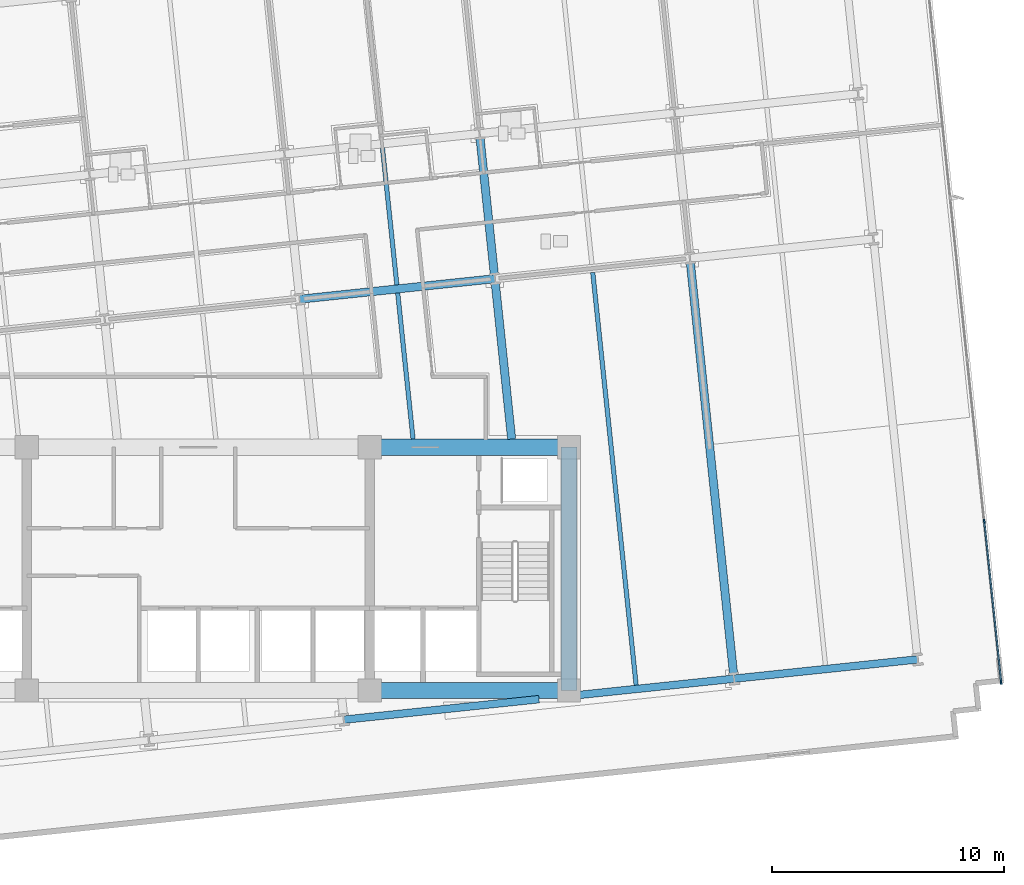
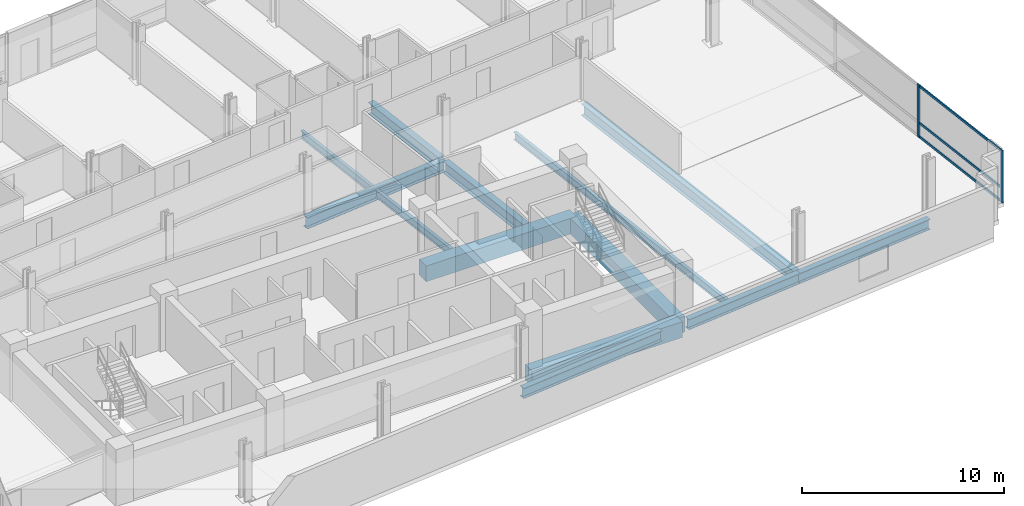
# One storey, part 4 of 17: 13 beams, 5 members, 1 element without a shape of its own.
"""IFC4 building model written with IfcOpenShell, lengths in metres."""

from ifc_helpers import new_model, si_unit, direction, frame, origin, origin_2d, place, context, subcontext, project, spatial, rectangle, i_section, extrude, material, material_profile, profile_set, type_object, element, aggregate, save


model = new_model("IFC4")

# Units and contexts
model_context = context("Model", 3, precision=1e-05, world=origin(), true_north=direction((0.0, 1.0)))
body_context = subcontext(model_context, "Body", "Model", "MODEL_VIEW")
ifc_project = project(units=[si_unit("LENGTHUNIT", "METRE"), si_unit("AREAUNIT", "SQUARE_METRE"), si_unit("VOLUMEUNIT", "CUBIC_METRE"), si_unit("PLANEANGLEUNIT", "RADIAN"), si_unit("MASSUNIT", "GRAM", prefix="KILO")], contexts=[model_context])

# Site, building, storey
site_placement = place(None, origin())
site = spatial("IfcSite", under=ifc_project, at=site_placement, CompositionType="ELEMENT")
building_placement = place(site_placement, origin())
building = spatial("IfcBuilding", under=site, at=building_placement, Name="Solmavex Isthmus Hotel", CompositionType="ELEMENT")
storey_placement = place(building_placement, frame((0.0, 0.0, 116.699951171875)))
storey = spatial("IfcBuildingStorey", under=building, at=storey_placement, Name="L31", CompositionType="ELEMENT", Elevation=116.699951171875)

# Beams
ifc_material_1 = material(Name="Steel ASTM A992 Grade 50", Category="steel")
ifc_material_profile_1 = material_profile(ifc_material_1, i_section(OverallWidth=0.354736328125, OverallDepth=0.695556640625, WebThickness=0.015380859375, FlangeThickness=0.02490234375, FilletRadius=0.017822265625, at=origin_2d()), Name="W27X146")
ifc_profile_set_1 = profile_set([ifc_material_profile_1], Name="Steel ASTM A992 Grade 50")
beam_type_1 = type_object("IfcBeamType", Name="BM-BG-W27X146", PredefinedType="BEAM", material=ifc_profile_set_1)
beam_1_placement = place(storey_placement, frame((4.38037109375, 3.888427734375, -0.607666015625), z_axis=(0.994521085209, 0.104536171134, 0.0), x_axis=(-0.104536171134, 0.994521085209, 0.0)))
element("IfcBeam", 1, at=beam_1_placement, inside=storey, type_object=beam_type_1, Name="Floor Girder L31-UG10", PredefinedType="BEAM", context=body_context, shape_type="SweptSolid", body=[
    extrude(i_section(OverallWidth=0.354736328125, OverallDepth=0.695556640625, WebThickness=0.015380859375, FlangeThickness=0.02490234375, FilletRadius=0.017822265625, at=origin_2d()), origin(), (0.0, 0.0, 1.0), 8.466064453125),
])
beam_2_placement = place(storey_placement, frame((13.52783203125, -2.14990234375, -0.607666015625), z_axis=(-0.104544283528, 0.994520232465, 0.0), x_axis=(-0.994520232465, -0.104544283528, 0.0)))
element("IfcBeam", 2, at=beam_2_placement, inside=storey, type_object=beam_type_1, Name="Floor Beam L31-VG40", PredefinedType="BEAM", context=body_context, shape_type="SweptSolid", body=[
    extrude(i_section(OverallWidth=0.354736328125, OverallDepth=0.695556640625, WebThickness=0.015380859375, FlangeThickness=0.02490234375, FilletRadius=0.017822265625, at=origin_2d()), origin(), (0.0, 0.0, 1.0), 6.783935546875),
])
beam_3_placement = place(storey_placement, frame((12.781494140625, 4.949951171875, -0.607666015625), z_axis=(-0.104505160346, 0.994524344328, 0.0), x_axis=(-0.994524344328, -0.104505160346, 0.0)))
element("IfcBeam", 3, at=beam_3_placement, inside=storey, type_object=beam_type_1, Name="Floor Beam L31-VG41", PredefinedType="BEAM", context=body_context, shape_type="SweptSolid", body=[
    extrude(i_section(OverallWidth=0.354736328125, OverallDepth=0.695556640625, WebThickness=0.015380859375, FlangeThickness=0.02490234375, FilletRadius=0.017822265625, at=origin_2d()), origin(), (0.0, 0.0, 1.0), 5.943115234375),
])
beam_4_placement = place(storey_placement, frame((23.1103515625, -12.329345703125, -0.607666015625), z_axis=(-0.104530088192, 0.99452172458, 0.0), x_axis=(-0.99452172458, -0.104530088192, 0.0)))
element("IfcBeam", 4, at=beam_4_placement, inside=storey, type_object=beam_type_1, Name="Floor Beam L31-VG43", PredefinedType="BEAM", context=body_context, shape_type="SweptSolid", body=[
    extrude(i_section(OverallWidth=0.354736328125, OverallDepth=0.695556640625, WebThickness=0.015380859375, FlangeThickness=0.02490234375, FilletRadius=0.017822265625, at=origin_2d()), origin(), (0.0, 0.0, 1.0), 17.909423828125),
])
ifc_material_profile_2 = material_profile(ifc_material_1, i_section(OverallWidth=0.1904296875, OverallDepth=0.456787109375, WebThickness=0.009033203125, FlangeThickness=0.014404296875, FilletRadius=0.0126953125, at=origin_2d()), Name="W18X50")
ifc_profile_set_2 = profile_set([ifc_material_profile_2], Name="Steel ASTM A992 Grade 50")
beam_type_2 = type_object("IfcBeamType", Name="BM-BJ-W18X50", PredefinedType="JOIST", material=ifc_profile_set_2)
beam_5_placement = place(storey_placement, frame((9.271484375, -2.14990234375, -0.48828125), z_axis=(-0.104524400071, 0.994522322419, 0.0), x_axis=(-0.994522322419, -0.104524400071, 0.0)))
element("IfcBeam", 5, at=beam_5_placement, inside=storey, type_object=beam_type_2, Name="Secondary Floor Joist L31-J13", PredefinedType="JOIST", context=body_context, shape_type="SweptSolid", body=[
    extrude(i_section(OverallWidth=0.1904296875, OverallDepth=0.456787109375, WebThickness=0.009033203125, FlangeThickness=0.014404296875, FilletRadius=0.0126953125, at=origin_2d()), origin(), (0.0, 0.0, 1.0), 6.339111328125),
])
beam_6_placement = place(storey_placement, frame((8.57177734375, 4.50732421875, -0.48828125), z_axis=(-0.104545790518, 0.994520074048, 0.0), x_axis=(-0.994520074048, -0.104545790518, 0.0)))
element("IfcBeam", 6, at=beam_6_placement, inside=storey, type_object=beam_type_2, Name="Secondary Floor Joist L31-J14", PredefinedType="JOIST", context=body_context, shape_type="SweptSolid", body=[
    extrude(i_section(OverallWidth=0.1904296875, OverallDepth=0.456787109375, WebThickness=0.009033203125, FlangeThickness=0.014404296875, FilletRadius=0.0126953125, at=origin_2d()), origin(), (0.0, 0.0, 1.0), 5.943115234375),
])
beam_7_placement = place(storey_placement, frame((18.900390625, -12.771728515625, -0.48828125), z_axis=(-0.104516605126, 0.994523141638, 0.0), x_axis=(-0.994523141638, -0.104516605126, 0.0)))
element("IfcBeam", 7, at=beam_7_placement, inside=storey, type_object=beam_type_2, Name="Secondary Floor Joist L31-J16", PredefinedType="JOIST", context=body_context, shape_type="SweptSolid", body=[
    extrude(i_section(OverallWidth=0.1904296875, OverallDepth=0.456787109375, WebThickness=0.009033203125, FlangeThickness=0.014404296875, FilletRadius=0.0126953125, at=origin_2d()), origin(), (0.0, 0.0, 1.0), 17.909423828125),
])
ifc_material_2 = material(Name="Concrete C60/75", Category="concrete")
ifc_material_profile_3 = material_profile(ifc_material_2, rectangle(XDim=0.699951171875, YDim=0.949951171875, at=origin_2d()), Name="RC700X950")
ifc_profile_set_3 = profile_set([ifc_material_profile_3], Name="Concrete C60/75")
beam_type_3 = type_object("IfcBeamType", Name="BM-CB-700X950", PredefinedType="BEAM", material=ifc_profile_set_3)
for number, where, z_axis, x_axis, name in (
    (8, (7.39990234375, -13.0, -0.73486328125), (1.0, 0.0, 0.0), (0.0, 1.0, 0.0), "Core Coupling Beam L31-CB3"),
    (9, (7.39990234375, -2.5, -0.73486328125), (1.0, 0.0, 0.0), (0.0, 1.0, 0.0), "Core Coupling Beam L31-CB6"),
):
    element("IfcBeam", number, at=place(storey_placement, frame(where, z_axis=z_axis, x_axis=x_axis)), inside=storey, type_object=beam_type_3, Name=name, PredefinedType="BEAM", context=body_context, shape_type="SweptSolid", body=[
        extrude(rectangle(XDim=0.699951171875, YDim=0.949951171875, at=origin_2d()), origin(), (0.0, 0.0, 1.0), 8.60009765625),
    ])
beam_8_placement = place(storey_placement, frame((16.0, -13.0, -0.73486328125), z_axis=(0.0, 1.0, 0.0), x_axis=(-1.0, 0.0, 0.0)))
element("IfcBeam", 10, at=beam_8_placement, inside=storey, type_object=beam_type_3, Name="Core Coupling Beam L31-CB8", PredefinedType="BEAM", context=body_context, shape_type="SweptSolid", body=[
    extrude(rectangle(XDim=0.699951171875, YDim=0.949951171875, at=origin_2d()), origin(), (0.0, 0.0, 1.0), 10.5),
])
ifc_material_profile_4 = material_profile(ifc_material_1, i_section(OverallWidth=0.326416015625, OverallDepth=0.621826171875, WebThickness=0.015380859375, FlangeThickness=0.0244140625, FilletRadius=0.01513671875, at=origin_2d()), Name="W24X131")
ifc_profile_set_4 = profile_set([ifc_material_profile_4], Name="Steel ASTM A992 Grade 50")
beam_type_4 = type_object("IfcBeamType", Name="BM-SP-W24X131", PredefinedType="SPANDREL", material=ifc_profile_set_4)
beam_9_placement = place(storey_placement, frame((6.2880859375, -14.261474609375, -0.57080078125), z_axis=(0.994524082861, 0.104507648572, 0.0), x_axis=(-0.104507648572, 0.994524082861, 0.0)))
element("IfcBeam", 11, at=beam_9_placement, inside=storey, type_object=beam_type_4, Name="Floor Girder L31-UG04", PredefinedType="SPANDREL", context=body_context, shape_type="SweptSolid", body=[
    extrude(i_section(OverallWidth=0.326416015625, OverallDepth=0.621826171875, WebThickness=0.015380859375, FlangeThickness=0.0244140625, FilletRadius=0.01513671875, at=origin_2d()), origin(), (0.0, 0.0, 1.0), 8.466064453125),
])
beam_10_placement = place(storey_placement, frame((16.35009765625, -13.2041015625, -0.57080078125), z_axis=(0.994520754079, 0.10453932134, 0.0), x_axis=(-0.10453932134, 0.994520754079, 0.0)))
element("IfcBeam", 12, at=beam_10_placement, inside=storey, type_object=beam_type_4, Name="Floor Girder L31-UG05", PredefinedType="SPANDREL", context=body_context, shape_type="SweptSolid", body=[
    extrude(i_section(OverallWidth=0.326416015625, OverallDepth=0.621826171875, WebThickness=0.015380859375, FlangeThickness=0.0244140625, FilletRadius=0.01513671875, at=origin_2d()), origin(), (0.0, 0.0, 1.0), 6.814697265625),
])
beam_11_placement = place(storey_placement, frame((23.12744140625, -12.49169921875, -0.57080078125), z_axis=(0.994520217478, 0.10454442609, 0.0), x_axis=(-0.10454442609, 0.994520217478, 0.0)))
element("IfcBeam", 13, at=beam_11_placement, inside=storey, type_object=beam_type_4, Name="Floor Girder L31-UG06", PredefinedType="SPANDREL", context=body_context, shape_type="SweptSolid", body=[
    extrude(i_section(OverallWidth=0.326416015625, OverallDepth=0.621826171875, WebThickness=0.015380859375, FlangeThickness=0.0244140625, FilletRadius=0.01513671875, at=origin_2d()), origin(), (0.0, 0.0, 1.0), 7.968017578125),
])

# Curtain wall, members
ifc_material_3 = material(Name="Aluminium alloy 6063-T6", Category="aluminium")
curtain_wall_type = type_object("IfcCurtainWallType", Name="CW-SYS-03", PredefinedType="NOTDEFINED", material=ifc_material_3)
curtain_wall_placement = place(storey_placement, origin())
curtain_wall = element("IfcCurtainWall", 14, at=curtain_wall_placement, inside=storey, type_object=curtain_wall_type, Name="Stick Curtain Wall CWL-L31-E1", PredefinedType="NOTDEFINED")
ifc_material_profile_5 = material_profile(ifc_material_3, rectangle(XDim=0.070068359375, YDim=0.179931640625, at=origin_2d()), Name="CWM-70X180")
ifc_profile_set_5 = profile_set([ifc_material_profile_5], Name="Aluminium alloy 6063-T6")
member_type_1 = type_object("IfcMemberType", Name="CW-SYS-03-MUL", PredefinedType="MULLION", material=ifc_profile_set_5)
member_1_placement = place(storey_placement, frame((34.6552734375, -12.652587890625, 0.0), z_axis=(0.0, 0.0, 1.0), x_axis=(-0.994521893044, -0.104528485381, 0.0)))
member_1 = element("IfcMember", 15, at=member_1_placement, type_object=member_type_1, Name="CW-03 mullion 1", PredefinedType="MULLION", context=body_context, shape_type="SweptSolid", body=[
    extrude(rectangle(XDim=0.070068359375, YDim=0.179931640625, at=origin_2d()), origin(), (0.0, 0.0, 1.0), 3.18994140625),
])
member_2_placement = place(storey_placement, frame((33.92529296875, -5.705810546875, 0.0), z_axis=(0.0, 0.0, 1.0), x_axis=(-0.994521893044, -0.104528485381, 0.0)))
member_2 = element("IfcMember", 16, at=member_2_placement, type_object=member_type_1, Name="CW-03 mullion 2", PredefinedType="MULLION", context=body_context, shape_type="SweptSolid", body=[
    extrude(rectangle(XDim=0.070068359375, YDim=0.179931640625, at=origin_2d()), origin(), (0.0, 0.0, 1.0), 3.18994140625),
])
ifc_material_profile_6 = material_profile(ifc_material_3, rectangle(XDim=0.070068359375, YDim=0.139892578125, at=origin_2d()), Name="CWT-70X140")
ifc_profile_set_6 = profile_set([ifc_material_profile_6], Name="Aluminium alloy 6063-T6")
member_type_2 = type_object("IfcMemberType", Name="CW-SYS-03-TRN", PredefinedType="USERDEFINED", material=ifc_profile_set_6)
member_3_placement = place(storey_placement, frame((34.651611328125, -12.61767578125, 0.070068359375), z_axis=(-0.104508345235, 0.994524009653, 0.0), x_axis=(-0.994524009653, -0.104508345235, 0.0)))
member_3 = element("IfcMember", 17, at=member_3_placement, type_object=member_type_2, Name="CW-03 transom 1.1", ObjectType="TRANSOM", PredefinedType="USERDEFINED", context=body_context, shape_type="SweptSolid", body=[
    extrude(rectangle(XDim=0.070068359375, YDim=0.139892578125, at=origin_2d()), origin(), (0.0, 0.0, 1.0), 6.914794921875),
])
member_4_placement = place(storey_placement, frame((34.651611328125, -12.61767578125, 0.900146484375), z_axis=(-0.104508345235, 0.994524009653, 0.0), x_axis=(-0.994524009653, -0.104508345235, 0.0)))
member_4 = element("IfcMember", 18, at=member_4_placement, type_object=member_type_2, Name="CW-03 transom 1.2", ObjectType="TRANSOM", PredefinedType="USERDEFINED", context=body_context, shape_type="SweptSolid", body=[
    extrude(rectangle(XDim=0.070068359375, YDim=0.139892578125, at=origin_2d()), origin(), (0.0, 0.0, 1.0), 6.914794921875),
])
member_5_placement = place(storey_placement, frame((34.651611328125, -12.61767578125, 3.1201171875), z_axis=(-0.104508345235, 0.994524009653, 0.0), x_axis=(-0.994524009653, -0.104508345235, 0.0)))
member_5 = element("IfcMember", 19, at=member_5_placement, type_object=member_type_2, Name="CW-03 transom 1.3", ObjectType="TRANSOM", PredefinedType="USERDEFINED", context=body_context, shape_type="SweptSolid", body=[
    extrude(rectangle(XDim=0.070068359375, YDim=0.139892578125, at=origin_2d()), origin(), (0.0, 0.0, 1.0), 6.914794921875),
])
aggregate(curtain_wall, [member_1, member_2, member_3, member_4, member_5])

save(model, "model.ifc")
